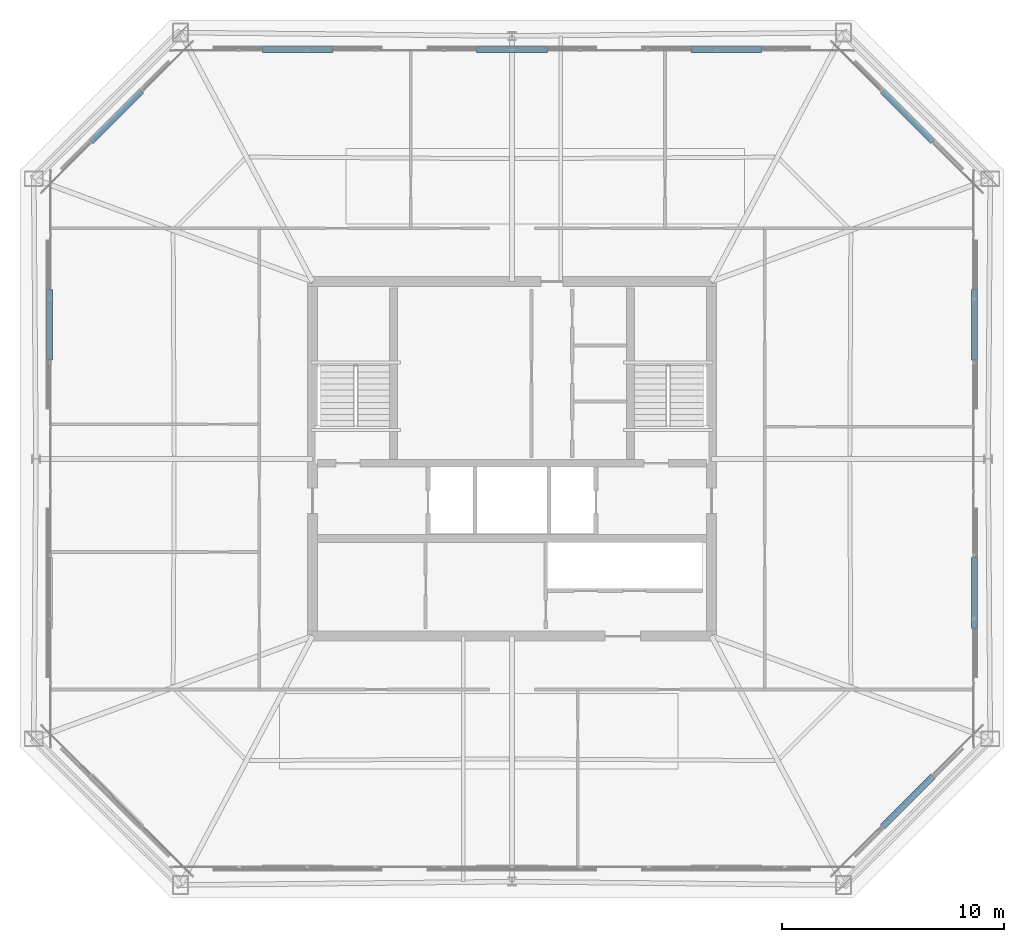
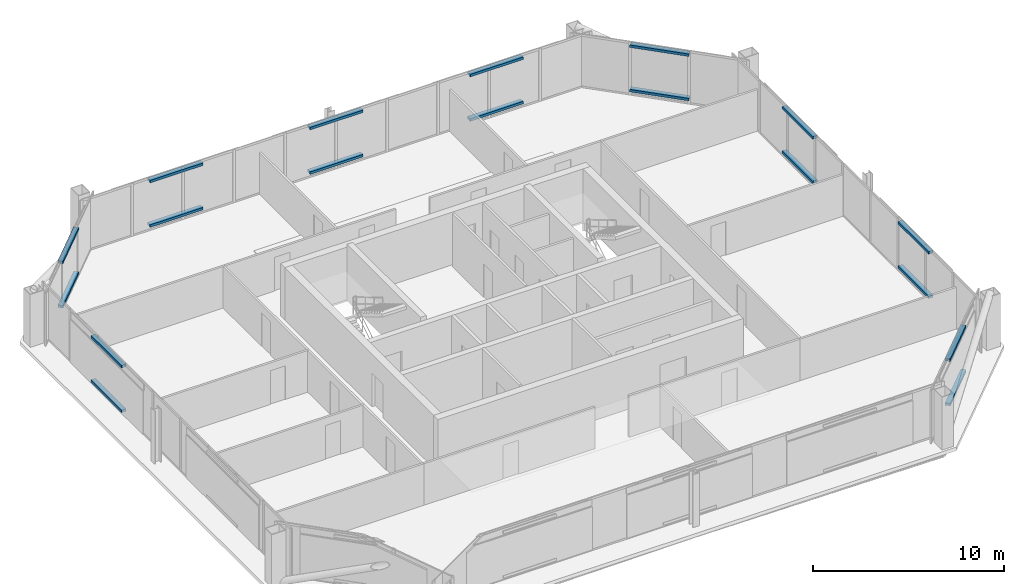
# One storey, part 37 of 39: 18 discrete accessories.
"""IFC4 building model written with IfcOpenShell, lengths in metres."""

from ifc_helpers import new_model, si_unit, direction, frame, origin, origin_2d, place, context, subcontext, project, spatial, rectangle, extrude, material, type_object, element, save


model = new_model("IFC4")

# Units and contexts
model_context = context("Model", 3, precision=1e-05, world=origin(), true_north=direction((0.0, 1.0)))
body_context = subcontext(model_context, "Body", "Model", "MODEL_VIEW")
ifc_project = project(units=[si_unit("LENGTHUNIT", "METRE"), si_unit("AREAUNIT", "SQUARE_METRE"), si_unit("VOLUMEUNIT", "CUBIC_METRE"), si_unit("PLANEANGLEUNIT", "RADIAN"), si_unit("MASSUNIT", "GRAM", prefix="KILO")], contexts=[model_context])

# Site, building, storey
site_placement = place(None, origin())
site = spatial("IfcSite", under=ifc_project, at=site_placement, CompositionType="ELEMENT")
building_placement = place(site_placement, origin())
building = spatial("IfcBuilding", under=site, at=building_placement, Name="Caelvoria Tower", CompositionType="ELEMENT")
storey_placement = place(building_placement, frame((0.0, 0.0, 198.60009765625)))
storey = spatial("IfcBuildingStorey", under=building, at=storey_placement, Name="L52", CompositionType="ELEMENT", Elevation=198.60009765625)

# Discrete accessories
ifc_material = material(Name="Anodised Bronze Stainless Bracket", Category="bronze")
discrete_accessory_type = type_object("IfcDiscreteAccessoryType", Name="Solar Screen Outrigger Support Bracket", PredefinedType="BRACKET", material=ifc_material)
for number, where, z_axis, x_axis, name in (
    (1, (63.859130859375, 16.540771484375, 0.23974609375), (0.0, 0.0, 1.0), (0.707106781187, 0.707106781187, 0.0), "Solar Screen Bracket L52-E1-00"),
    (2, (63.859130859375, 16.540771484375, 3.07470703125), (0.0, 0.0, 1.0), (0.707106781187, 0.707106781187, 0.0), "Upper Screen Band Bracket L52-E1-00"),
    (3, (66.869384765625, 25.949951171875, 0.23974609375), (0.0, 0.0, 1.0), (0.0, 1.0, 0.0), "Solar Screen Bracket L52-E2-00"),
    (4, (66.869384765625, 25.949951171875, 3.07470703125), (0.0, 0.0, 1.0), (0.0, 1.0, 0.0), "Upper Screen Band Bracket L52-E2-00"),
    (5, (66.869384765625, 38.050048828125, 0.23974609375), (0.0, 0.0, 1.0), (0.0, 1.0, 0.0), "Solar Screen Bracket L52-E2-01"),
    (6, (66.869384765625, 38.050048828125, 3.07470703125), (0.0, 0.0, 1.0), (0.0, 1.0, 0.0), "Upper Screen Band Bracket L52-E2-01"),
    (7, (63.859130859375, 47.459228515625, 0.23974609375), (0.0, 0.0, 1.0), (-0.707106781187, 0.707106781187, 0.0), "Solar Screen Bracket L52-E3-00"),
    (8, (63.859130859375, 47.459228515625, 3.07470703125), (0.0, 0.0, 1.0), (-0.707106781187, 0.707106781187, 0.0), "Upper Screen Band Bracket L52-E3-00"),
    (9, (55.666748046875, 50.469482421875, 0.23974609375), (0.0, 0.0, 1.0), (-1.0, 0.0, 0.0), "Solar Screen Bracket L52-E4-00"),
    (10, (55.666748046875, 50.469482421875, 3.07470703125), (0.0, 0.0, 1.0), (-1.0, 0.0, 0.0), "Upper Screen Band Bracket L52-E4-00"),
    (11, (46.0, 50.469482421875, 0.23974609375), (0.0, 0.0, 1.0), (-1.0, 0.0, 0.0), "Solar Screen Bracket L52-E4-01"),
    (12, (46.0, 50.469482421875, 3.07470703125), (0.0, 0.0, 1.0), (-1.0, 0.0, 0.0), "Upper Screen Band Bracket L52-E4-01"),
    (13, (36.333251953125, 50.469482421875, 0.23974609375), (0.0, 0.0, 1.0), (-1.0, 0.0, 0.0), "Solar Screen Bracket L52-E4-02"),
    (14, (36.333251953125, 50.469482421875, 3.07470703125), (0.0, 0.0, 1.0), (-1.0, 0.0, 0.0), "Upper Screen Band Bracket L52-E4-02"),
    (15, (28.140869140625, 47.459228515625, 0.23974609375), (0.0, 0.0, 1.0), (-0.707106781187, -0.707106781187, 0.0), "Solar Screen Bracket L52-E5-00"),
    (16, (28.140869140625, 47.459228515625, 3.07470703125), (0.0, 0.0, 1.0), (-0.707106781187, -0.707106781187, 0.0), "Upper Screen Band Bracket L52-E5-00"),
    (17, (25.130615234375, 38.050048828125, 0.23974609375), (0.0, 0.0, 1.0), (0.0, -1.0, 0.0), "Solar Screen Bracket L52-E6-00"),
    (18, (25.130615234375, 38.050048828125, 3.07470703125), (0.0, 0.0, 1.0), (0.0, -1.0, 0.0), "Upper Screen Band Bracket L52-E6-00"),
):
    element("IfcDiscreteAccessory", number, at=place(storey_placement, frame(where, z_axis=z_axis, x_axis=x_axis)), inside=storey, type_object=discrete_accessory_type, Name=name, PredefinedType="BRACKET", context=body_context, shape_type="SweptSolid", body=[
        extrude(rectangle(XDim=3.199951171875, YDim=0.280029296875, at=origin_2d()), origin(), (0.0, 0.0, 1.0), 0.159912109375),
    ])

save(model, "model.ifc")
